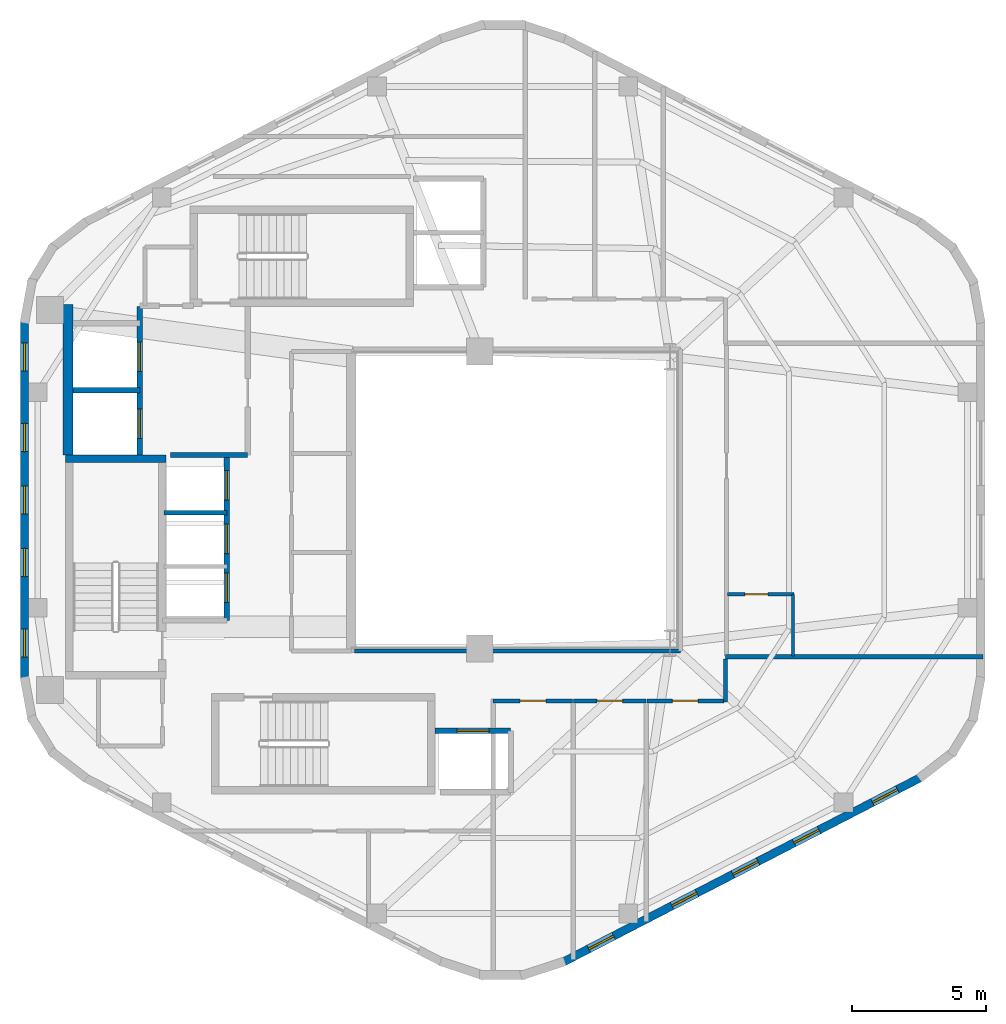
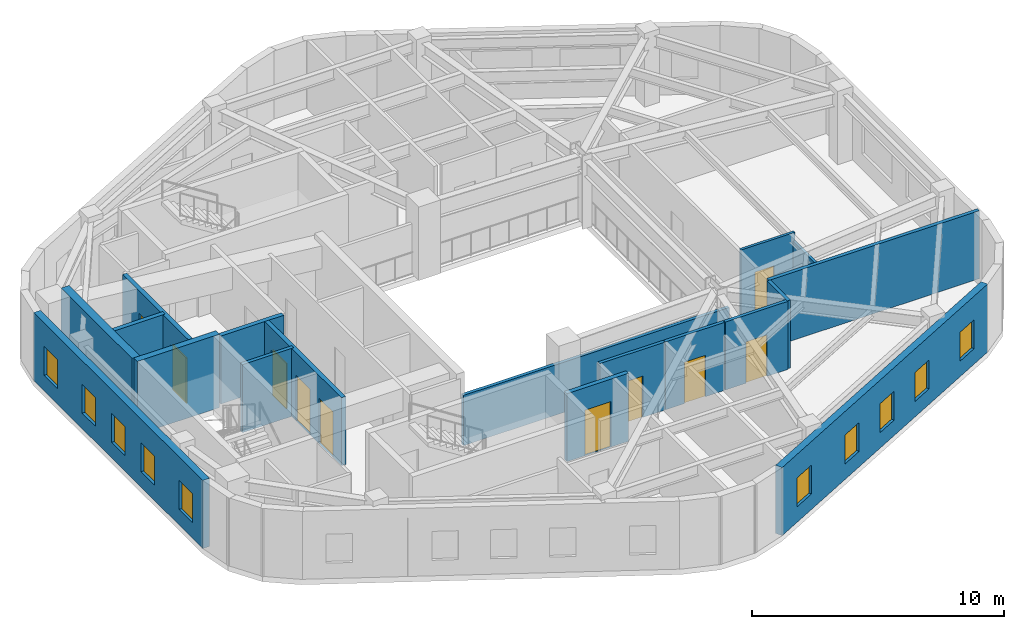
# One storey, part 3 of 6: 18 walls, 10 doors, 10 windows, 20 openings.
"""IFC4 building model written with IfcOpenShell, lengths in metres."""

from ifc_helpers import new_model, si_unit, direction, frame, frame_2d, origin, place, context, subcontext, project, spatial, rectangle, extrude, material, layer, layer_set, type_object, element, fill, save


model = new_model("IFC4")

# Units and contexts
model_context = context("Model", 3, precision=1e-05, world=origin(), true_north=direction((0.0, 1.0)))
body_context = subcontext(model_context, "Body", "Model", "MODEL_VIEW")
ifc_project = project(units=[si_unit("LENGTHUNIT", "METRE"), si_unit("AREAUNIT", "SQUARE_METRE"), si_unit("VOLUMEUNIT", "CUBIC_METRE"), si_unit("PLANEANGLEUNIT", "RADIAN"), si_unit("MASSUNIT", "GRAM", prefix="KILO"), si_unit("THERMODYNAMICTEMPERATUREUNIT", "KELVIN"), si_unit("POWERUNIT", "WATT")], contexts=[model_context])

# Site, building, storey
site_placement = place(None, origin())
site = spatial("IfcSite", under=ifc_project, at=site_placement, CompositionType="ELEMENT")
building_placement = place(site_placement, origin())
building = spatial("IfcBuilding", under=site, at=building_placement, Name="Skarre Station Tower", CompositionType="ELEMENT")
storey_placement = place(building_placement, frame((0.0, 0.0, 259.64990234375)))
storey = spatial("IfcBuildingStorey", under=building, at=storey_placement, Name="L71", CompositionType="ELEMENT", Elevation=259.64990234375)

# Walls
ifc_material_1 = material(Name="Acoustic Steel-Stud Gypsum Partition", Category="steel")
ifc_layer_1 = layer(ifc_material_1, 0.14990234375, Name="Acoustic Steel-Stud Gypsum Partition")
ifc_layer_set_1 = layer_set([ifc_layer_1], Name="Acoustic Steel-Stud Gypsum Partition")
wall_type_1 = type_object("IfcWallType", Name="Fire-Rated Corridor Acoustic Partition 150", PredefinedType="PARTITIONING", material=ifc_layer_set_1)
wall_1_placement = place(storey_placement, frame((27.675048828125, 18.360107421875, 0.0), z_axis=(0.0, 0.0, 1.0), x_axis=(1.0, 0.0, 0.0)))
element("IfcWall", 1, at=wall_1_placement, inside=storey, type_object=wall_type_1, Name="L71 Interior Partition WL-PT-L71-ATRW-S", PredefinedType="PARTITIONING", context=body_context, shape_type="SweptSolid", body=[
    extrude(rectangle(XDim=12.1650390625, YDim=0.14990234375, at=frame_2d((6.08251953125, 0.0))), origin(), (0.0, 0.0, 1.0), 2.43115234375),
])
wall_2_placement = place(storey_placement, frame((41.52001953125, 16.4599609375, 0.0), z_axis=(0.0, 0.0, 1.0), x_axis=(0.0, 1.0, 0.0)))
element("IfcWall", 2, at=wall_2_placement, inside=storey, type_object=wall_type_1, Name="L71 Interior Partition WL-PT-L71-CORR-SER", PredefinedType="PARTITIONING", context=body_context, shape_type="SweptSolid", body=[
    extrude(rectangle(XDim=1.60205078125, YDim=0.14990234375, at=frame_2d((0.801025390625, 0.0))), origin(), (0.0, 0.0, 1.0), 3.2900390625),
])

# Wall, opening, door
wall_3_placement = place(storey_placement, frame((32.85009765625, 16.5, 0.0), z_axis=(0.0, 0.0, 1.0), x_axis=(1.0, 0.0, 0.0)))
wall_3 = element("IfcWall", 3, at=wall_3_placement, inside=storey, type_object=wall_type_1, Name="L71 Interior Partition WL-PT-L71-SW1-CW", PredefinedType="PARTITIONING", context=body_context, shape_type="SweptSolid", body=[
    extrude(rectangle(XDim=2.9658203125, YDim=0.14990234375, at=frame_2d((1.48291015625, 0.0))), origin(), (0.0, 0.0, 1.0), 3.2900390625),
])
opening_1_placement = place(wall_3_placement, frame((1.0029296875, 0.0, 0.0)))
opening_1 = element("IfcOpeningElement", 4, at=opening_1_placement, cuts=wall_3, Name="Opening DR-FD60", PredefinedType="OPENING", context=body_context, shape_type="SweptSolid", body=[
    extrude(rectangle(XDim=0.9599609375, YDim=2.0, at=frame_2d((0.47998046875, 1.0))), frame((0.0, 0.0849609375, 0.0), z_axis=(0.0, -1.0, 0.0), x_axis=(1.0, 0.0, 0.0)), (0.0, 0.0, 1.0), 0.169921875),
])
ifc_material_2 = material(Name="Nordic White-Oak Veneer Solid-Core Fire Leaf", Category="wood")
door_type_1 = type_object("IfcDoorType", Name="Corridor Suite Entry Fire Door FD60 960x2150", OperationType="SINGLE_SWING_LEFT", PredefinedType="DOOR", material=ifc_material_2)
door_1_placement = place(opening_1_placement, origin())
door_1 = element("IfcDoor", 5, at=door_1_placement, inside=storey, type_object=door_type_1, Name="L71 SW1 Entry Door", OperationType="SINGLE_SWING_LEFT", OverallHeight=2.0, OverallWidth=0.9599609375, PredefinedType="DOOR", context=body_context, shape_type="SweptSolid", body=[
    extrude(rectangle(XDim=0.9599609375, YDim=2.0, at=frame_2d((0.47998046875, 1.0))), frame((0.0, 0.02490234375, 0.0), z_axis=(0.0, -1.0, 0.0), x_axis=(1.0, 0.0, 0.0)), (0.0, 0.0, 1.0), 0.050048828125),
])
fill(opening_1, door_1)

wall_4_placement = place(storey_placement, frame((35.85205078125, 16.5, 0.0), z_axis=(0.0, 0.0, 1.0), x_axis=(1.0, 0.0, 0.0)))
wall_4 = element("IfcWall", 6, at=wall_4_placement, inside=storey, type_object=wall_type_1, Name="L71 Interior Partition WL-PT-L71-SW2-CW", PredefinedType="PARTITIONING", context=body_context, shape_type="SweptSolid", body=[
    extrude(rectangle(XDim=2.696044921875, YDim=0.14990234375, at=frame_2d((1.34814453125, 0.0))), origin(), (0.0, 0.0, 1.0), 3.2900390625),
])
opening_2_placement = place(wall_4_placement, frame((0.867919921875, 0.0, 0.0)))
opening_2 = element("IfcOpeningElement", 7, at=opening_2_placement, cuts=wall_4, Name="Opening DR-FD60", PredefinedType="OPENING", context=body_context, shape_type="SweptSolid", body=[
    extrude(rectangle(XDim=0.9599609375, YDim=2.0, at=frame_2d((0.47998046875, 1.0))), frame((0.0, 0.0849609375, 0.0), z_axis=(0.0, -1.0, 0.0), x_axis=(1.0, 0.0, 0.0)), (0.0, 0.0, 1.0), 0.169921875),
])
door_2_placement = place(opening_2_placement, origin())
door_2 = element("IfcDoor", 8, at=door_2_placement, inside=storey, type_object=door_type_1, Name="L71 SW2 Entry Door", OperationType="SINGLE_SWING_LEFT", OverallHeight=2.0, OverallWidth=0.9599609375, PredefinedType="DOOR", context=body_context, shape_type="SweptSolid", body=[
    extrude(rectangle(XDim=0.9599609375, YDim=2.0, at=frame_2d((0.47998046875, 1.0))), frame((0.0, 0.02490234375, 0.0), z_axis=(0.0, -1.0, 0.0), x_axis=(1.0, 0.0, 0.0)), (0.0, 0.0, 1.0), 0.050048828125),
])
fill(opening_2, door_2)

wall_5_placement = place(storey_placement, frame((38.583984375, 16.5, 0.0), z_axis=(0.0, 0.0, 1.0), x_axis=(1.0, 0.0, 0.0)))
wall_5 = element("IfcWall", 9, at=wall_5_placement, inside=storey, type_object=wall_type_1, Name="L71 Interior Partition WL-PT-L71-SW3-CW", PredefinedType="PARTITIONING", context=body_context, shape_type="SweptSolid", body=[
    extrude(rectangle(XDim=2.8759765625, YDim=0.14990234375, at=frame_2d((1.43798828125, 0.0))), origin(), (0.0, 0.0, 1.0), 3.2900390625),
])
opening_3_placement = place(wall_5_placement, frame((0.9580078125, 0.0, 0.0)))
opening_3 = element("IfcOpeningElement", 10, at=opening_3_placement, cuts=wall_5, Name="Opening DR-FD60", PredefinedType="OPENING", context=body_context, shape_type="SweptSolid", body=[
    extrude(rectangle(XDim=0.9599609375, YDim=2.0, at=frame_2d((0.47998046875, 1.0))), frame((0.0, 0.0849609375, 0.0), z_axis=(0.0, -1.0, 0.0), x_axis=(1.0, 0.0, 0.0)), (0.0, 0.0, 1.0), 0.169921875),
])
door_3_placement = place(opening_3_placement, origin())
door_3 = element("IfcDoor", 11, at=door_3_placement, inside=storey, type_object=door_type_1, Name="L71 SW3 Entry Door", OperationType="SINGLE_SWING_LEFT", OverallHeight=2.0, OverallWidth=0.9599609375, PredefinedType="DOOR", context=body_context, shape_type="SweptSolid", body=[
    extrude(rectangle(XDim=0.9599609375, YDim=2.0, at=frame_2d((0.47998046875, 1.0))), frame((0.0, 0.02490234375, 0.0), z_axis=(0.0, -1.0, 0.0), x_axis=(1.0, 0.0, 0.0)), (0.0, 0.0, 1.0), 0.050048828125),
])
fill(opening_3, door_3)

ifc_material_3 = material(Name="Insulated Timber-Stud Gypsum Partition", Category="wood")
ifc_layer_2 = layer(ifc_material_3, 0.1201171875, Name="Insulated Timber-Stud Gypsum Partition")
ifc_layer_set_2 = layer_set([ifc_layer_2], Name="Insulated Timber-Stud Gypsum Partition")
wall_type_2 = type_object("IfcWallType", Name="Internal Suite Acoustic Partition 120", PredefinedType="PARTITIONING", material=ifc_layer_set_2)
wall_6_placement = place(storey_placement, frame((41.60009765625, 20.47998046875, 0.0), z_axis=(0.0, 0.0, 1.0), x_axis=(1.0, 0.0, 0.0)))
wall_6 = element("IfcWall", 12, at=wall_6_placement, inside=storey, type_object=wall_type_2, Name="L71 Interior Partition WL-PT-L71-EW1-SA1", PredefinedType="PARTITIONING", context=body_context, shape_type="SweptSolid", body=[
    extrude(rectangle(XDim=2.47998046875, YDim=0.1201171875, at=frame_2d((1.239990234375, 0.0))), origin(), (0.0, 0.0, 1.0), 3.2900390625),
])
opening_4_placement = place(wall_6_placement, frame((0.64990234375, 0.0, 0.0)))
opening_4 = element("IfcOpeningElement", 13, at=opening_4_placement, cuts=wall_6, Name="Opening DR-INT86", PredefinedType="OPENING", context=body_context, shape_type="SweptSolid", body=[
    extrude(rectangle(XDim=0.860107421875, YDim=2.0, at=frame_2d((0.43017578125, 1.0))), frame((0.0, 0.070068359375, 0.0), z_axis=(0.0, -1.0, 0.0), x_axis=(1.0, 0.0, 0.0)), (0.0, 0.0, 1.0), 0.14013671875),
])
ifc_material_4 = material(Name="Nordic Birch Acoustic Solid-Core Timber Leaf", Category="wood")
door_type_2 = type_object("IfcDoorType", Name="Internal En-Suite & Bedroom Door 860x2100", OperationType="SINGLE_SWING_LEFT", PredefinedType="DOOR", material=ifc_material_4)
door_4_placement = place(opening_4_placement, origin())
door_4 = element("IfcDoor", 14, at=door_4_placement, inside=storey, type_object=door_type_2, Name="L71 EW1 Alcove Store Door", OperationType="SINGLE_SWING_LEFT", OverallHeight=2.0, OverallWidth=0.860107421875, PredefinedType="DOOR", context=body_context, shape_type="SweptSolid", body=[
    extrude(rectangle(XDim=0.860107421875, YDim=2.0, at=frame_2d((0.43017578125, 1.0))), frame((0.0, 0.02490234375, 0.0), z_axis=(0.0, -1.0, 0.0), x_axis=(1.0, 0.0, 0.0)), (0.0, 0.0, 1.0), 0.050048828125),
])
fill(opening_4, door_4)

# Wall
wall_7_placement = place(storey_placement, frame((44.050048828125, 18.179931640625, 0.0), z_axis=(0.0, 0.0, 1.0), x_axis=(0.0, 1.0, 0.0)))
element("IfcWall", 15, at=wall_7_placement, inside=storey, type_object=wall_type_2, Name="L71 Interior Partition WL-PT-L71-EW1-SA2", PredefinedType="PARTITIONING", context=body_context, shape_type="SweptSolid", body=[
    extrude(rectangle(XDim=2.300048828125, YDim=0.1201171875, at=frame_2d((1.14990234375, 0.0))), origin(), (0.0, 0.0, 1.0), 2.88720703125),
])

# Wall, openings, windows
ifc_material_5 = material(Name="Precast concrete C45/55", Category="concrete")
ifc_layer_3 = layer(ifc_material_5, 0.31005859375, Name="Precast concrete C45/55")
ifc_layer_set_3 = layer_set([ifc_layer_3], Name="Precast concrete C45/55")
wall_type_3 = type_object("IfcWallType", Name="Nordic Upper-Zone Precast Facet Wall 310", PredefinedType="STANDARD", material=ifc_layer_set_3)
wall_8_placement = place(storey_placement, frame((15.342041015625, 17.298095703125, 0.0), z_axis=(0.0, 0.0, 1.0), x_axis=(0.0, 1.0, 0.0)))
wall_8 = element("IfcWall", 16, at=wall_8_placement, inside=storey, type_object=wall_type_3, Name="L71 Facet 2 Nordic Precast Masonry Wall", PredefinedType="STANDARD", context=body_context, shape_type="SweptSolid", body=[
    extrude(rectangle(XDim=13.40380859375, YDim=0.31005859375, at=frame_2d((6.701904296875, 0.0))), origin(), (0.0, 0.0, 1.0), 3.2900390625),
])
opening_5_placement = place(wall_8_placement, frame((0.8310546875, 0.0, 0.75)))
opening_5 = element("IfcOpeningElement", 17, at=opening_5_placement, cuts=wall_8, Name="Opening WN-SLT", PredefinedType="OPENING", context=body_context, shape_type="SweptSolid", body=[
    extrude(rectangle(XDim=1.050048828125, YDim=1.39990234375, at=frame_2d((0.52490234375, 0.699951171875))), frame((0.0, 0.1650390625, 0.0), z_axis=(0.0, -1.0, 0.0), x_axis=(1.0, 0.0, 0.0)), (0.0, 0.0, 1.0), 0.330078125),
])
opening_6_placement = place(wall_8_placement, frame((3.843017578125, 0.0, 0.75)))
opening_6 = element("IfcOpeningElement", 18, at=opening_6_placement, cuts=wall_8, Name="Opening WN-SLT", PredefinedType="OPENING", context=body_context, shape_type="SweptSolid", body=[
    extrude(rectangle(XDim=1.050048828125, YDim=1.39990234375, at=frame_2d((0.52490234375, 0.699951171875))), frame((0.0, 0.1650390625, 0.0), z_axis=(0.0, -1.0, 0.0), x_axis=(1.0, 0.0, 0.0)), (0.0, 0.0, 1.0), 0.330078125),
])
opening_7_placement = place(wall_8_placement, frame((6.177001953125, 0.0, 0.75)))
opening_7 = element("IfcOpeningElement", 19, at=opening_7_placement, cuts=wall_8, Name="Opening WN-SLT", PredefinedType="OPENING", context=body_context, shape_type="SweptSolid", body=[
    extrude(rectangle(XDim=1.050048828125, YDim=1.39990234375, at=frame_2d((0.52490234375, 0.699951171875))), frame((0.0, 0.1650390625, 0.0), z_axis=(0.0, -1.0, 0.0), x_axis=(1.0, 0.0, 0.0)), (0.0, 0.0, 1.0), 0.330078125),
])
opening_8_placement = place(wall_8_placement, frame((8.510986328125, 0.0, 0.75)))
opening_8 = element("IfcOpeningElement", 20, at=opening_8_placement, cuts=wall_8, Name="Opening WN-SLT", PredefinedType="OPENING", context=body_context, shape_type="SweptSolid", body=[
    extrude(rectangle(XDim=1.050048828125, YDim=1.39990234375, at=frame_2d((0.52490234375, 0.699951171875))), frame((0.0, 0.1650390625, 0.0), z_axis=(0.0, -1.0, 0.0), x_axis=(1.0, 0.0, 0.0)), (0.0, 0.0, 1.0), 0.330078125),
])
opening_9_placement = place(wall_8_placement, frame((11.52392578125, 0.0, 0.75)))
opening_9 = element("IfcOpeningElement", 21, at=opening_9_placement, cuts=wall_8, Name="Opening WN-SLT", PredefinedType="OPENING", context=body_context, shape_type="SweptSolid", body=[
    extrude(rectangle(XDim=1.050048828125, YDim=1.39990234375, at=frame_2d((0.52490234375, 0.699951171875))), frame((0.0, 0.1650390625, 0.0), z_axis=(0.0, -1.0, 0.0), x_axis=(1.0, 0.0, 0.0)), (0.0, 0.0, 1.0), 0.330078125),
])
ifc_material_6 = material(Name="Low-Iron Triple Glazing with Bronze Anodized Frame", Category="glass")
window_type = type_object("IfcWindowType", Name="Nordic Corner Slot Window 1050x1400", PartitioningType="SINGLE_PANEL", PredefinedType="WINDOW", material=ifc_material_6)
window_1_placement = place(opening_5_placement, origin())
window_1 = element("IfcWindow", 22, at=window_1_placement, inside=storey, type_object=window_type, Name="L71 Facade Window WL-FAC-L71-F2-1", OverallHeight=1.39990234375, OverallWidth=1.050048828125, PartitioningType="SINGLE_PANEL", PredefinedType="WINDOW", context=body_context, shape_type="SweptSolid", body=[
    extrude(rectangle(XDim=1.050048828125, YDim=1.39990234375, at=frame_2d((0.52490234375, 0.699951171875))), frame((0.0, 0.030029296875, 0.0), z_axis=(0.0, -1.0, 0.0), x_axis=(1.0, 0.0, 0.0)), (0.0, 0.0, 1.0), 0.06005859375),
])
fill(opening_5, window_1)
window_2_placement = place(opening_6_placement, origin())
window_2 = element("IfcWindow", 23, at=window_2_placement, inside=storey, type_object=window_type, Name="L71 Facade Window WL-FAC-L71-F2-2", OverallHeight=1.39990234375, OverallWidth=1.050048828125, PartitioningType="SINGLE_PANEL", PredefinedType="WINDOW", context=body_context, shape_type="SweptSolid", body=[
    extrude(rectangle(XDim=1.050048828125, YDim=1.39990234375, at=frame_2d((0.52490234375, 0.699951171875))), frame((0.0, 0.030029296875, 0.0), z_axis=(0.0, -1.0, 0.0), x_axis=(1.0, 0.0, 0.0)), (0.0, 0.0, 1.0), 0.06005859375),
])
fill(opening_6, window_2)
window_3_placement = place(opening_7_placement, origin())
window_3 = element("IfcWindow", 24, at=window_3_placement, inside=storey, type_object=window_type, Name="L71 Facade Window WL-FAC-L71-F2-3", OverallHeight=1.39990234375, OverallWidth=1.050048828125, PartitioningType="SINGLE_PANEL", PredefinedType="WINDOW", context=body_context, shape_type="SweptSolid", body=[
    extrude(rectangle(XDim=1.050048828125, YDim=1.39990234375, at=frame_2d((0.52490234375, 0.699951171875))), frame((0.0, 0.030029296875, 0.0), z_axis=(0.0, -1.0, 0.0), x_axis=(1.0, 0.0, 0.0)), (0.0, 0.0, 1.0), 0.06005859375),
])
fill(opening_7, window_3)
window_4_placement = place(opening_8_placement, origin())
window_4 = element("IfcWindow", 25, at=window_4_placement, inside=storey, type_object=window_type, Name="L71 Facade Window WL-FAC-L71-F2-4", OverallHeight=1.39990234375, OverallWidth=1.050048828125, PartitioningType="SINGLE_PANEL", PredefinedType="WINDOW", context=body_context, shape_type="SweptSolid", body=[
    extrude(rectangle(XDim=1.050048828125, YDim=1.39990234375, at=frame_2d((0.52490234375, 0.699951171875))), frame((0.0, 0.030029296875, 0.0), z_axis=(0.0, -1.0, 0.0), x_axis=(1.0, 0.0, 0.0)), (0.0, 0.0, 1.0), 0.06005859375),
])
fill(opening_8, window_4)
window_5_placement = place(opening_9_placement, origin())
window_5 = element("IfcWindow", 26, at=window_5_placement, inside=storey, type_object=window_type, Name="L71 Facade Window WL-FAC-L71-F2-5", OverallHeight=1.39990234375, OverallWidth=1.050048828125, PartitioningType="SINGLE_PANEL", PredefinedType="WINDOW", context=body_context, shape_type="SweptSolid", body=[
    extrude(rectangle(XDim=1.050048828125, YDim=1.39990234375, at=frame_2d((0.52490234375, 0.699951171875))), frame((0.0, 0.030029296875, 0.0), z_axis=(0.0, -1.0, 0.0), x_axis=(1.0, 0.0, 0.0)), (0.0, 0.0, 1.0), 0.06005859375),
])
fill(opening_9, window_5)

wall_9_placement = place(storey_placement, frame((48.833984375, 13.64599609375, 0.0), z_axis=(0.0, 0.0, 1.0), x_axis=(-0.888581481622, -0.458718814218, 0.0)))
wall_9 = element("IfcWall", 27, at=wall_9_placement, inside=storey, type_object=wall_type_3, Name="L71 Facet 4 Nordic Precast Masonry Wall", PredefinedType="STANDARD", context=body_context, shape_type="SweptSolid", body=[
    extrude(rectangle(XDim=15.076904296875, YDim=0.31005859375, at=frame_2d((7.53857421875, 0.0))), origin(), (0.0, 0.0, 1.0), 3.2900390625),
])
opening_10_placement = place(wall_9_placement, frame((0.998046875, 0.0, 0.75)))
opening_10 = element("IfcOpeningElement", 28, at=opening_10_placement, cuts=wall_9, Name="Opening WN-SLT", PredefinedType="OPENING", context=body_context, shape_type="SweptSolid", body=[
    extrude(rectangle(XDim=1.050048828125, YDim=1.39990234375, at=frame_2d((0.52490234375, 0.699951171875))), frame((0.0, 0.1650390625, 0.0), z_axis=(0.0, -1.0, 0.0), x_axis=(1.0, 0.0, 0.0)), (0.0, 0.0, 1.0), 0.330078125),
])
opening_11_placement = place(wall_9_placement, frame((4.294921875, 0.0, 0.75)))
opening_11 = element("IfcOpeningElement", 29, at=opening_11_placement, cuts=wall_9, Name="Opening WN-SLT", PredefinedType="OPENING", context=body_context, shape_type="SweptSolid", body=[
    extrude(rectangle(XDim=1.050048828125, YDim=1.39990234375, at=frame_2d((0.52490234375, 0.699951171875))), frame((0.0, 0.1650390625, 0.0), z_axis=(0.0, -1.0, 0.0), x_axis=(1.0, 0.0, 0.0)), (0.0, 0.0, 1.0), 0.330078125),
])
opening_12_placement = place(wall_9_placement, frame((6.862060546875, 0.0, 0.75)))
opening_12 = element("IfcOpeningElement", 30, at=opening_12_placement, cuts=wall_9, Name="Opening WN-SLT", PredefinedType="OPENING", context=body_context, shape_type="SweptSolid", body=[
    extrude(rectangle(XDim=1.050048828125, YDim=1.39990234375, at=frame_2d((0.52490234375, 0.699951171875))), frame((0.0, 0.1650390625, 0.0), z_axis=(0.0, -1.0, 0.0), x_axis=(1.0, 0.0, 0.0)), (0.0, 0.0, 1.0), 0.330078125),
])
opening_13_placement = place(wall_9_placement, frame((9.428955078125, 0.0, 0.75)))
opening_13 = element("IfcOpeningElement", 31, at=opening_13_placement, cuts=wall_9, Name="Opening WN-SLT", PredefinedType="OPENING", context=body_context, shape_type="SweptSolid", body=[
    extrude(rectangle(XDim=1.050048828125, YDim=1.39990234375, at=frame_2d((0.52490234375, 0.699951171875))), frame((0.0, 0.1650390625, 0.0), z_axis=(0.0, -1.0, 0.0), x_axis=(1.0, 0.0, 0.0)), (0.0, 0.0, 1.0), 0.330078125),
])
opening_14_placement = place(wall_9_placement, frame((12.922119140625, 0.0, 0.75)))
opening_14 = element("IfcOpeningElement", 32, at=opening_14_placement, cuts=wall_9, Name="Opening WN-SLT", PredefinedType="OPENING", context=body_context, shape_type="SweptSolid", body=[
    extrude(rectangle(XDim=1.050048828125, YDim=1.39990234375, at=frame_2d((0.52490234375, 0.699951171875))), frame((0.0, 0.1650390625, 0.0), z_axis=(0.0, -1.0, 0.0), x_axis=(1.0, 0.0, 0.0)), (0.0, 0.0, 1.0), 0.330078125),
])
window_6_placement = place(opening_10_placement, origin())
window_6 = element("IfcWindow", 33, at=window_6_placement, inside=storey, type_object=window_type, Name="L71 Facade Window WL-FAC-L71-F4-1", OverallHeight=1.39990234375, OverallWidth=1.050048828125, PartitioningType="SINGLE_PANEL", PredefinedType="WINDOW", context=body_context, shape_type="SweptSolid", body=[
    extrude(rectangle(XDim=1.050048828125, YDim=1.39990234375, at=frame_2d((0.52490234375, 0.699951171875))), frame((0.0, 0.030029296875, 0.0), z_axis=(0.0, -1.0, 0.0), x_axis=(1.0, 0.0, 0.0)), (0.0, 0.0, 1.0), 0.06005859375),
])
fill(opening_10, window_6)
window_7_placement = place(opening_11_placement, origin())
window_7 = element("IfcWindow", 34, at=window_7_placement, inside=storey, type_object=window_type, Name="L71 Facade Window WL-FAC-L71-F4-2", OverallHeight=1.39990234375, OverallWidth=1.050048828125, PartitioningType="SINGLE_PANEL", PredefinedType="WINDOW", context=body_context, shape_type="SweptSolid", body=[
    extrude(rectangle(XDim=1.050048828125, YDim=1.39990234375, at=frame_2d((0.52490234375, 0.699951171875))), frame((0.0, 0.030029296875, 0.0), z_axis=(0.0, -1.0, 0.0), x_axis=(1.0, 0.0, 0.0)), (0.0, 0.0, 1.0), 0.06005859375),
])
fill(opening_11, window_7)
window_8_placement = place(opening_12_placement, origin())
window_8 = element("IfcWindow", 35, at=window_8_placement, inside=storey, type_object=window_type, Name="L71 Facade Window WL-FAC-L71-F4-3", OverallHeight=1.39990234375, OverallWidth=1.050048828125, PartitioningType="SINGLE_PANEL", PredefinedType="WINDOW", context=body_context, shape_type="SweptSolid", body=[
    extrude(rectangle(XDim=1.050048828125, YDim=1.39990234375, at=frame_2d((0.52490234375, 0.699951171875))), frame((0.0, 0.030029296875, 0.0), z_axis=(0.0, -1.0, 0.0), x_axis=(1.0, 0.0, 0.0)), (0.0, 0.0, 1.0), 0.06005859375),
])
fill(opening_12, window_8)
window_9_placement = place(opening_13_placement, origin())
window_9 = element("IfcWindow", 36, at=window_9_placement, inside=storey, type_object=window_type, Name="L71 Facade Window WL-FAC-L71-F4-4", OverallHeight=1.39990234375, OverallWidth=1.050048828125, PartitioningType="SINGLE_PANEL", PredefinedType="WINDOW", context=body_context, shape_type="SweptSolid", body=[
    extrude(rectangle(XDim=1.050048828125, YDim=1.39990234375, at=frame_2d((0.52490234375, 0.699951171875))), frame((0.0, 0.030029296875, 0.0), z_axis=(0.0, -1.0, 0.0), x_axis=(1.0, 0.0, 0.0)), (0.0, 0.0, 1.0), 0.06005859375),
])
fill(opening_13, window_9)
window_10_placement = place(opening_14_placement, origin())
window_10 = element("IfcWindow", 37, at=window_10_placement, inside=storey, type_object=window_type, Name="L71 Facade Window WL-FAC-L71-F4-5", OverallHeight=1.39990234375, OverallWidth=1.050048828125, PartitioningType="SINGLE_PANEL", PredefinedType="WINDOW", context=body_context, shape_type="SweptSolid", body=[
    extrude(rectangle(XDim=1.050048828125, YDim=1.39990234375, at=frame_2d((0.52490234375, 0.699951171875))), frame((0.0, 0.030029296875, 0.0), z_axis=(0.0, -1.0, 0.0), x_axis=(1.0, 0.0, 0.0)), (0.0, 0.0, 1.0), 0.06005859375),
])
fill(opening_14, window_10)

# Walls
ifc_material_7 = material(Name="Concrete C50/60", Category="concrete")
ifc_layer_4 = layer(ifc_material_7, 0.280029296875, Name="Concrete C50/60")
ifc_layer_set_4 = layer_set([ifc_layer_4], Name="Concrete C50/60")
wall_type_4 = type_object("IfcWallType", Name="RC Core Shear Wall 280", PredefinedType="SHEAR", material=ifc_layer_set_4)
wall_10_placement = place(storey_placement, frame((20.6298828125, 25.5400390625, 0.0), z_axis=(0.0, 0.0, 1.0), x_axis=(-1.0, 0.0, 0.0)))
element("IfcWall", 38, at=wall_10_placement, inside=storey, type_object=wall_type_4, Name="L71 Stair ST-1 North Shear Wall", PredefinedType="SHEAR", context=body_context, shape_type="SweptSolid", body=[
    extrude(rectangle(XDim=3.759765625, YDim=0.280029296875, at=frame_2d((1.8798828125, 0.0))), origin(), (0.0, 0.0, 1.0), 3.550048828125),
])
ifc_layer_5 = layer(ifc_material_7, 0.360107421875, Name="Concrete C50/60")
ifc_layer_set_5 = layer_set([ifc_layer_5], Name="Concrete C50/60")
wall_type_5 = type_object("IfcWallType", Name="RC Core Shear Wall 360", PredefinedType="SHEAR", material=ifc_layer_set_5)
wall_11_placement = place(storey_placement, frame((16.969970703125, 25.679931640625, 0.0), z_axis=(0.0, 0.0, 1.0), x_axis=(0.0, 1.0, 0.0)))
element("IfcWall", 39, at=wall_11_placement, inside=storey, type_object=wall_type_5, Name="L71 Core West-North Shear Wall", PredefinedType="SHEAR", context=body_context, shape_type="SweptSolid", body=[
    extrude(rectangle(XDim=5.6201171875, YDim=0.360107421875, at=frame_2d((2.81005859375, 0.0))), origin(), (0.0, 0.0, 1.0), 3.550048828125),
])

# Wall, openings, doors
ifc_material_8 = material(Name="Gypsum Concrete Shaft Assembly C30/37", Category="concrete")
ifc_layer_6 = layer(ifc_material_8, 0.199951171875, Name="Gypsum Concrete Shaft Assembly C30/37")
ifc_layer_set_6 = layer_set([ifc_layer_6], Name="Gypsum Concrete Shaft Assembly C30/37")
wall_type_6 = type_object("IfcWallType", Name="Shaft & Core Fire Partition 200", PredefinedType="PARTITIONING", material=ifc_layer_set_6)
wall_12_placement = place(storey_placement, frame((19.64990234375, 25.679931640625, 0.0), z_axis=(0.0, 0.0, 1.0), x_axis=(0.0, 1.0, 0.0)))
wall_12 = element("IfcWall", 40, at=wall_12_placement, inside=storey, type_object=wall_type_6, Name="L71 Interior Partition WL-PT-L71-FSAE-W", PredefinedType="PARTITIONING", context=body_context, shape_type="SweptSolid", body=[
    extrude(rectangle(XDim=5.5400390625, YDim=0.199951171875, at=frame_2d((2.77001953125, 0.0))), origin(), (0.0, 0.0, 1.0), 3.2900390625),
])
opening_15_placement = place(wall_12_placement, frame((0.6201171875, 0.0, 0.0)))
opening_15 = element("IfcOpeningElement", 41, at=opening_15_placement, cuts=wall_12, Name="Opening LD-FF1", PredefinedType="OPENING", context=body_context, shape_type="SweptSolid", body=[
    extrude(rectangle(XDim=1.10009765625, YDim=2.199951171875, at=frame_2d((0.550048828125, 1.10009765625))), frame((0.0, 0.10986328125, 0.0), z_axis=(0.0, -1.0, 0.0), x_axis=(1.0, 0.0, 0.0)), (0.0, 0.0, 1.0), 0.219970703125),
])
opening_16_placement = place(wall_12_placement, frame((3.1201171875, 0.0, 0.0)))
opening_16 = element("IfcOpeningElement", 42, at=opening_16_placement, cuts=wall_12, Name="Opening LD-FF2", PredefinedType="OPENING", context=body_context, shape_type="SweptSolid", body=[
    extrude(rectangle(XDim=1.10009765625, YDim=2.199951171875, at=frame_2d((0.550048828125, 1.10009765625))), frame((0.0, 0.10986328125, 0.0), z_axis=(0.0, -1.0, 0.0), x_axis=(1.0, 0.0, 0.0)), (0.0, 0.0, 1.0), 0.219970703125),
])
ifc_material_9 = material(Name="Fire-Rated Stainless Steel Grade 316L Sliding Leaves", Category="steel")
door_type_3 = type_object("IfcDoorType", Name="Fire Service Access Elevator Sliding Landing Door 1100x2200", OperationType="SLIDING_TO_LEFT", PredefinedType="DOOR", material=ifc_material_9)
door_5_placement = place(opening_15_placement, origin())
door_5 = element("IfcDoor", 43, at=door_5_placement, inside=storey, type_object=door_type_3, Name="L71 Firefighting Lift LF-FF1 Landing Door", OperationType="SLIDING_TO_LEFT", OverallHeight=2.199951171875, OverallWidth=1.10009765625, PredefinedType="DOOR", context=body_context, shape_type="SweptSolid", body=[
    extrude(rectangle(XDim=1.10009765625, YDim=2.199951171875, at=frame_2d((0.550048828125, 1.10009765625))), frame((0.0, 0.02490234375, 0.0), z_axis=(0.0, -1.0, 0.0), x_axis=(1.0, 0.0, 0.0)), (0.0, 0.0, 1.0), 0.050048828125),
])
fill(opening_15, door_5)
door_6_placement = place(opening_16_placement, origin())
door_6 = element("IfcDoor", 44, at=door_6_placement, inside=storey, type_object=door_type_3, Name="L71 Firefighting Lift LF-FF2 Landing Door", OperationType="SLIDING_TO_LEFT", OverallHeight=2.199951171875, OverallWidth=1.10009765625, PredefinedType="DOOR", context=body_context, shape_type="SweptSolid", body=[
    extrude(rectangle(XDim=1.10009765625, YDim=2.199951171875, at=frame_2d((0.550048828125, 1.10009765625))), frame((0.0, 0.02490234375, 0.0), z_axis=(0.0, -1.0, 0.0), x_axis=(1.0, 0.0, 0.0)), (0.0, 0.0, 1.0), 0.050048828125),
])
fill(opening_16, door_6)

# Walls
wall_13_placement = place(storey_placement, frame((20.79296875, 25.679931640625, 0.0), z_axis=(0.0, 0.0, 1.0), x_axis=(1.0, 0.0, 0.0)))
element("IfcWall", 45, at=wall_13_placement, inside=storey, type_object=wall_type_6, Name="L71 Interior Partition WL-PT-L71-FSAE-S", PredefinedType="PARTITIONING", context=body_context, shape_type="SweptSolid", body=[
    extrude(rectangle(XDim=2.886962890625, YDim=0.199951171875, at=frame_2d((1.443359375, 0.0))), origin(), (0.0, 0.0, 1.0), 3.2900390625),
])
wall_14_placement = place(storey_placement, frame((17.14990234375, 28.10009765625, 0.0), z_axis=(0.0, 0.0, 1.0), x_axis=(1.0, 0.0, 0.0)))
element("IfcWall", 46, at=wall_14_placement, inside=storey, type_object=wall_type_6, Name="L71 Interior Partition WL-PT-L71-FF-DIV", PredefinedType="PARTITIONING", context=body_context, shape_type="SweptSolid", body=[
    extrude(rectangle(XDim=2.5, YDim=0.199951171875, at=frame_2d((1.25, 0.0))), origin(), (0.0, 0.0, 1.0), 3.2900390625),
])

# Wall, opening, door
wall_15_placement = place(storey_placement, frame((33.5, 15.3798828125, 0.0), z_axis=(0.0, 0.0, 1.0), x_axis=(-1.0, 0.0, 0.0)))
wall_15 = element("IfcWall", 47, at=wall_15_placement, inside=storey, type_object=wall_type_6, Name="L71 Interior Partition WL-PT-L71-SV1-N", PredefinedType="PARTITIONING", context=body_context, shape_type="SweptSolid", body=[
    extrude(rectangle(XDim=2.820068359375, YDim=0.199951171875, at=frame_2d((1.41015625, 0.0))), origin(), (0.0, 0.0, 1.0), 3.2900390625),
])
opening_17_placement = place(wall_15_placement, frame((0.800048828125, 0.0, 0.0)))
opening_17 = element("IfcOpeningElement", 48, at=opening_17_placement, cuts=wall_15, Name="Opening LD-SV1", PredefinedType="OPENING", context=body_context, shape_type="SweptSolid", body=[
    extrude(rectangle(XDim=1.199951171875, YDim=2.199951171875, at=frame_2d((0.60009765625, 1.10009765625))), frame((0.0, 0.10986328125, 0.0), z_axis=(0.0, -1.0, 0.0), x_axis=(1.0, 0.0, 0.0)), (0.0, 0.0, 1.0), 0.219970703125),
])
ifc_material_10 = material(Name="Heavy-Gauge Brushed Stainless Steel Sliding Leaves", Category="steel")
door_type_4 = type_object("IfcDoorType", Name="Service Elevator Wide Sliding Landing Door 1200x2200", OperationType="SLIDING_TO_RIGHT", PredefinedType="DOOR", material=ifc_material_10)
door_7_placement = place(opening_17_placement, origin())
door_7 = element("IfcDoor", 49, at=door_7_placement, inside=storey, type_object=door_type_4, Name="L71 Service Lift LF-SV1 Landing Door", OperationType="SLIDING_TO_RIGHT", OverallHeight=2.199951171875, OverallWidth=1.199951171875, PredefinedType="DOOR", context=body_context, shape_type="SweptSolid", body=[
    extrude(rectangle(XDim=1.199951171875, YDim=2.199951171875, at=frame_2d((0.60009765625, 1.10009765625))), frame((0.0, 0.02490234375, 0.0), z_axis=(0.0, -1.0, 0.0), x_axis=(1.0, 0.0, 0.0)), (0.0, 0.0, 1.0), 0.050048828125),
])
fill(opening_17, door_7)

# Wall, openings, doors
wall_16_placement = place(storey_placement, frame((22.89990234375, 19.5, 0.0), z_axis=(0.0, 0.0, 1.0), x_axis=(0.0, 1.0, 0.0)))
wall_16 = element("IfcWall", 50, at=wall_16_placement, inside=storey, type_object=wall_type_6, Name="L71 Interior Partition WL-PT-L71-B3-E", PredefinedType="PARTITIONING", context=body_context, shape_type="SweptSolid", body=[
    extrude(rectangle(XDim=6.0849609375, YDim=0.199951171875, at=frame_2d((3.04248046875, 0.0))), origin(), (0.0, 0.0, 1.0), 3.2900390625),
])
opening_18_placement = place(wall_16_placement, frame((0.679931640625, 0.0, 0.0)))
opening_18 = element("IfcOpeningElement", 51, at=opening_18_placement, cuts=wall_16, Name="Opening LD-P7", PredefinedType="OPENING", context=body_context, shape_type="SweptSolid", body=[
    extrude(rectangle(XDim=1.10009765625, YDim=2.199951171875, at=frame_2d((0.550048828125, 1.10009765625))), frame((0.0, 0.10986328125, 0.0), z_axis=(0.0, -1.0, 0.0), x_axis=(1.0, 0.0, 0.0)), (0.0, 0.0, 1.0), 0.219970703125),
])
opening_19_placement = place(wall_16_placement, frame((2.5, 0.0, 0.0)))
opening_19 = element("IfcOpeningElement", 52, at=opening_19_placement, cuts=wall_16, Name="Opening LD-P8", PredefinedType="OPENING", context=body_context, shape_type="SweptSolid", body=[
    extrude(rectangle(XDim=1.10009765625, YDim=2.199951171875, at=frame_2d((0.550048828125, 1.10009765625))), frame((0.0, 0.10986328125, 0.0), z_axis=(0.0, -1.0, 0.0), x_axis=(1.0, 0.0, 0.0)), (0.0, 0.0, 1.0), 0.219970703125),
])
opening_20_placement = place(wall_16_placement, frame((4.5, 0.0, 0.0)))
opening_20 = element("IfcOpeningElement", 53, at=opening_20_placement, cuts=wall_16, Name="Opening LD-P9", PredefinedType="OPENING", context=body_context, shape_type="SweptSolid", body=[
    extrude(rectangle(XDim=1.10009765625, YDim=2.199951171875, at=frame_2d((0.550048828125, 1.10009765625))), frame((0.0, 0.10986328125, 0.0), z_axis=(0.0, -1.0, 0.0), x_axis=(1.0, 0.0, 0.0)), (0.0, 0.0, 1.0), 0.219970703125),
])
ifc_material_11 = material(Name="Brushed Bronze Stainless Steel Sliding Leaves", Category="steel")
door_type_5 = type_object("IfcDoorType", Name="Passenger Elevator Center-Parting Sliding Door 1100x2200", OperationType="SLIDING_TO_LEFT", PredefinedType="DOOR", material=ifc_material_11)
door_8_placement = place(opening_18_placement, origin())
door_8 = element("IfcDoor", 54, at=door_8_placement, inside=storey, type_object=door_type_5, Name="L71 Passenger Lift LF-P7 Landing Door", OperationType="SLIDING_TO_LEFT", OverallHeight=2.199951171875, OverallWidth=1.10009765625, PredefinedType="DOOR", context=body_context, shape_type="SweptSolid", body=[
    extrude(rectangle(XDim=1.10009765625, YDim=2.199951171875, at=frame_2d((0.550048828125, 1.10009765625))), frame((0.0, 0.02490234375, 0.0), z_axis=(0.0, -1.0, 0.0), x_axis=(1.0, 0.0, 0.0)), (0.0, 0.0, 1.0), 0.050048828125),
])
fill(opening_18, door_8)
door_9_placement = place(opening_19_placement, origin())
door_9 = element("IfcDoor", 55, at=door_9_placement, inside=storey, type_object=door_type_5, Name="L71 Passenger Lift LF-P8 Landing Door", OperationType="SLIDING_TO_LEFT", OverallHeight=2.199951171875, OverallWidth=1.10009765625, PredefinedType="DOOR", context=body_context, shape_type="SweptSolid", body=[
    extrude(rectangle(XDim=1.10009765625, YDim=2.199951171875, at=frame_2d((0.550048828125, 1.10009765625))), frame((0.0, 0.02490234375, 0.0), z_axis=(0.0, -1.0, 0.0), x_axis=(1.0, 0.0, 0.0)), (0.0, 0.0, 1.0), 0.050048828125),
])
fill(opening_19, door_9)
door_10_placement = place(opening_20_placement, origin())
door_10 = element("IfcDoor", 56, at=door_10_placement, inside=storey, type_object=door_type_5, Name="L71 Passenger Lift LF-P9 Landing Door", OperationType="SLIDING_TO_LEFT", OverallHeight=2.199951171875, OverallWidth=1.10009765625, PredefinedType="DOOR", context=body_context, shape_type="SweptSolid", body=[
    extrude(rectangle(XDim=1.10009765625, YDim=2.199951171875, at=frame_2d((0.550048828125, 1.10009765625))), frame((0.0, 0.02490234375, 0.0), z_axis=(0.0, -1.0, 0.0), x_axis=(1.0, 0.0, 0.0)), (0.0, 0.0, 1.0), 0.050048828125),
])
fill(opening_20, door_10)

# Walls
wall_17_placement = place(storey_placement, frame((20.550048828125, 23.52001953125, 0.0), z_axis=(0.0, 0.0, 1.0), x_axis=(1.0, 0.0, 0.0)))
element("IfcWall", 57, at=wall_17_placement, inside=storey, type_object=wall_type_6, Name="L71 Interior Partition WL-PT-L71-B3-D2", PredefinedType="PARTITIONING", context=body_context, shape_type="SweptSolid", body=[
    extrude(rectangle(XDim=2.349853515625, YDim=0.159912109375, at=frame_2d((1.1748046875, 0.0))), origin(), (0.0, 0.0, 1.0), 3.2900390625),
])
ifc_layer_7 = layer(ifc_material_1, 0.1650390625, Name="Acoustic Steel-Stud Gypsum Partition")
ifc_layer_set_7 = layer_set([ifc_layer_7], Name="Acoustic Steel-Stud Gypsum Partition")
wall_type_7 = type_object("IfcWallType", Name="Suite Demising Acoustic Partition 165", PredefinedType="PARTITIONING", material=ifc_layer_set_7)
wall_18_placement = place(storey_placement, frame((41.52001953125, 18.139892578125, 0.0), z_axis=(0.0, 0.0, 1.0), x_axis=(1.0, 0.0, 0.0)))
element("IfcWall", 58, at=wall_18_placement, inside=storey, type_object=wall_type_7, Name="L71 Interior Partition WL-PT-L71-EWB-S", PredefinedType="PARTITIONING", context=body_context, shape_type="SweptSolid", body=[
    extrude(rectangle(XDim=9.623046875, YDim=0.1650390625, at=frame_2d((4.8115234375, 0.0))), origin(), (0.0, 0.0, 1.0), 3.2900390625),
])

save(model, "model.ifc")
